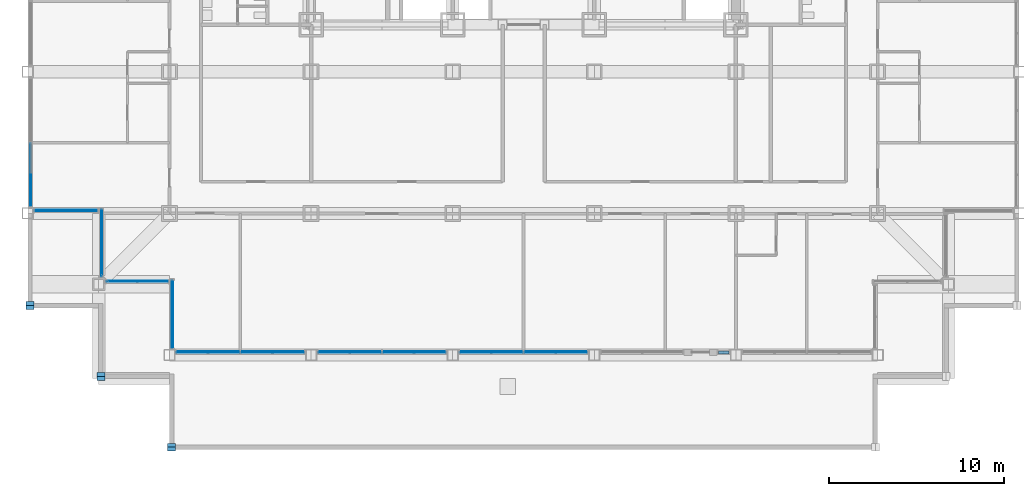
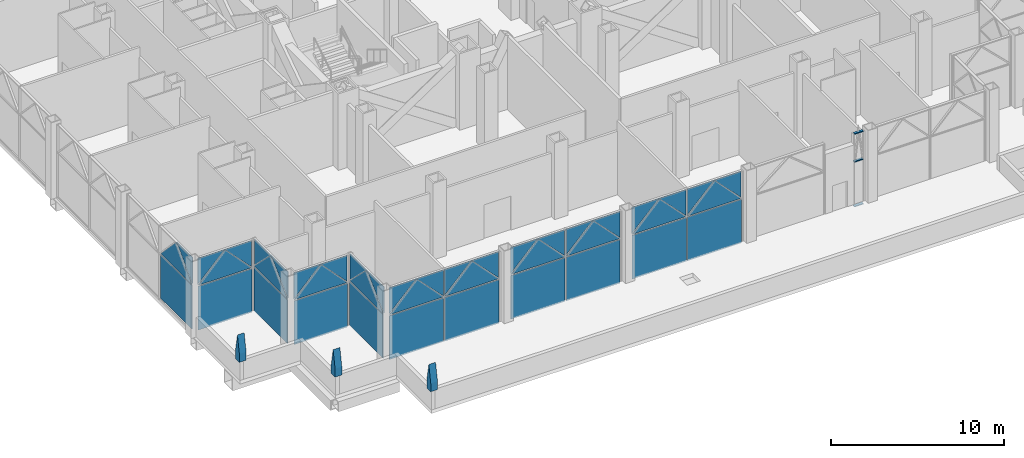
# One storey, part 10 of 26: 46 plates, 3 members, 9 elements without a shape of their own.
"""IFC4 building model written with IfcOpenShell, lengths in metres."""

from ifc_helpers import new_model, si_unit, direction, frame, origin, origin_2d, place, context, subcontext, project, spatial, polyline, rectangle, outline, extrude, material, layer, layer_set, material_profile, profile_set, type_object, element, aggregate, save


model = new_model("IFC4")

# Units and contexts
model_context = context("Model", 3, precision=1e-05, world=origin(), true_north=direction((0.0, 1.0)))
body_context = subcontext(model_context, "Body", "Model", "MODEL_VIEW")
ifc_project = project(units=[si_unit("LENGTHUNIT", "METRE"), si_unit("AREAUNIT", "SQUARE_METRE"), si_unit("VOLUMEUNIT", "CUBIC_METRE"), si_unit("PLANEANGLEUNIT", "RADIAN"), si_unit("MASSUNIT", "GRAM", prefix="KILO")], contexts=[model_context])

# Site, building, storey
site_placement = place(None, origin())
site = spatial("IfcSite", under=ifc_project, at=site_placement, CompositionType="ELEMENT")
building_placement = place(site_placement, origin())
building = spatial("IfcBuilding", under=site, at=building_placement, Name="Kopane Lantern Tower", CompositionType="ELEMENT")
storey_placement = place(building_placement, frame((0.0, 0.0, 98.0)))
storey = spatial("IfcBuildingStorey", under=building, at=storey_placement, Name="L24", CompositionType="ELEMENT", Elevation=98.0)

# Curtain wall, members
ifc_material_1 = material(Name="Aluminium and clear glass", Category="aluminium")
curtain_wall_type = type_object("IfcCurtainWallType", Name="CURTAIN WALL CW3 SKY LOBBY", PredefinedType="USERDEFINED", material=ifc_material_1)
curtain_wall_1_placement = place(storey_placement, origin())
curtain_wall_1 = element("IfcCurtainWall", 1, at=curtain_wall_1_placement, inside=storey, type_object=curtain_wall_type, Name="Curtain wall CW3 S L24", ObjectType="CURTAIN WALL", PredefinedType="USERDEFINED")
ifc_material_2 = material(Name="Aluminium", Category="aluminium")
ifc_material_profile = material_profile(ifc_material_2, rectangle(XDim=0.159912109375, YDim=0.070068359375, at=origin_2d()), Name="AL 160x70")
ifc_profile_set = profile_set([ifc_material_profile], Name="Aluminium")
member_type = type_object("IfcMemberType", Name="TRANSOM CW3-T 70x160", PredefinedType="USERDEFINED", material=ifc_profile_set)
member_1_placement = place(storey_placement, frame((39.4951171875, 5.550048828125, 0.034912109375), z_axis=(1.0, 0.0, 0.0), x_axis=(0.0, 1.0, 0.0)))
member_1 = element("IfcMember", 2, at=member_1_placement, type_object=member_type, Name="CW3 transom 1.1", ObjectType="TRANSOM", PredefinedType="USERDEFINED", context=body_context, shape_type="SweptSolid", body=[
    extrude(rectangle(XDim=0.159912109375, YDim=0.070068359375, at=origin_2d()), origin(), (0.0, 0.0, 1.0), 0.60498046875),
])
member_2_placement = place(storey_placement, frame((39.4951171875, 5.550048828125, 3.18994140625), z_axis=(1.0, 0.0, 0.0), x_axis=(0.0, 1.0, 0.0)))
member_2 = element("IfcMember", 3, at=member_2_placement, type_object=member_type, Name="CW3 transom 1.2", ObjectType="TRANSOM", PredefinedType="USERDEFINED", context=body_context, shape_type="SweptSolid", body=[
    extrude(rectangle(XDim=0.159912109375, YDim=0.070068359375, at=origin_2d()), origin(), (0.0, 0.0, 1.0), 0.60498046875),
])
member_3_placement = place(storey_placement, frame((39.4951171875, 5.550048828125, 5.155029296875), z_axis=(1.0, 0.0, 0.0), x_axis=(0.0, 1.0, 0.0)))
member_3 = element("IfcMember", 4, at=member_3_placement, type_object=member_type, Name="CW3 transom 1.3", ObjectType="TRANSOM", PredefinedType="USERDEFINED", context=body_context, shape_type="SweptSolid", body=[
    extrude(rectangle(XDim=0.159912109375, YDim=0.070068359375, at=origin_2d()), origin(), (0.0, 0.0, 1.0), 0.60498046875),
])
aggregate(curtain_wall_1, [member_1, member_2, member_3])

# Curtain wall, plates
curtain_wall_2_placement = place(storey_placement, origin())
curtain_wall_2 = element("IfcCurtainWall", 5, at=curtain_wall_2_placement, inside=storey, type_object=curtain_wall_type, Name="Curtain wall CW3 S L24", ObjectType="CURTAIN WALL", PredefinedType="USERDEFINED")
ifc_material_3 = material(Name="Insulated clear glass unit", Category="glass")
ifc_layer_1 = layer(ifc_material_3, 0.033935546875)
ifc_layer_set_1 = layer_set([ifc_layer_1], Name="CURTAIN PANEL CW3-P 34")
plate_type_1 = type_object("IfcPlateType", Name="CURTAIN PANEL CW3-P 34", PredefinedType="CURTAIN_PANEL", material=ifc_layer_set_1)
plate_1_placement = place(storey_placement, frame((10.3076171875, 5.550048828125, 0.070068359375), z_axis=(0.0, 0.0, 1.0), x_axis=(1.0, 0.0, 0.0)))
plate_1 = element("IfcPlate", 6, at=plate_1_placement, type_object=plate_type_1, Name="CW3 panel 1.1", PredefinedType="CURTAIN_PANEL", context=body_context, shape_type="SweptSolid", body=[
    extrude(rectangle(XDim=3.614990234375, YDim=0.033935546875, at=origin_2d()), origin(), (0.0, 0.0, 1.0), 3.0849609375),
])
plate_2_placement = place(storey_placement, frame((13.992431640625, 5.550048828125, 0.070068359375), z_axis=(0.0, 0.0, 1.0), x_axis=(1.0, 0.0, 0.0)))
plate_2 = element("IfcPlate", 7, at=plate_2_placement, type_object=plate_type_1, Name="CW3 panel 2.1", PredefinedType="CURTAIN_PANEL", context=body_context, shape_type="SweptSolid", body=[
    extrude(rectangle(XDim=3.614990234375, YDim=0.033935546875, at=origin_2d()), origin(), (0.0, 0.0, 1.0), 3.0849609375),
])
plate_3_placement = place(storey_placement, frame((8.5, 5.550048828125, 3.22509765625), z_axis=(0.0, 0.0, 1.0), x_axis=(1.0, 0.0, 0.0)))
plate_3 = element("IfcPlate", 8, at=plate_3_placement, type_object=plate_type_1, Name="CW3 lancet panel 1", PredefinedType="CURTAIN_PANEL", context=body_context, shape_type="SweptSolid", body=[
    extrude(outline(polyline([(0.0, 0.0), (3.614990234375, 0.0), (3.614990234375, 0.0009765625), (1.8076171875, 1.89990234375), (0.0, 0.0009765625), (0.0, 0.0)])), frame((0.0, 0.01708984375, 0.0), z_axis=(0.0, -1.0, 0.0), x_axis=(1.0, 0.0, 0.0)), (0.0, 0.0, 1.0), 0.033935546875),
])
plate_4_placement = place(storey_placement, frame((8.5, 5.5859375, 5.1201171875), z_axis=(0.0, 0.0, 1.0), x_axis=(1.0, 0.0, 0.0)))
plate_4 = element("IfcPlate", 9, at=plate_4_placement, type_object=plate_type_1, Name="CW3 spandrel panel 1L", PredefinedType="CURTAIN_PANEL", context=body_context, shape_type="SweptSolid", body=[
    extrude(outline(polyline([(0.0, 0.0), (1.8076171875, 0.0), (1.8076171875, -0.001220703125), (0.0, -1.846923828125), (0.0, 0.0)])), frame((0.0, 0.01708984375, 0.0), z_axis=(0.0, -1.0, 0.0), x_axis=(1.0, 0.0, 0.0)), (0.0, 0.0, 1.0), 0.033935546875),
])
plate_5_placement = place(storey_placement, frame((12.114990234375, 5.5859375, 5.1201171875), z_axis=(0.0, 0.0, 1.0), x_axis=(-1.0, 0.0, 0.0)))
plate_5 = element("IfcPlate", 10, at=plate_5_placement, type_object=plate_type_1, Name="CW3 spandrel panel 1R", PredefinedType="CURTAIN_PANEL", context=body_context, shape_type="SweptSolid", body=[
    extrude(outline(polyline([(0.0, 0.0), (1.807373046875, 0.0), (1.8076171875, -0.001220703125), (0.0, -1.846923828125), (0.0, 0.0)])), frame((0.0, 0.01708984375, 0.0), z_axis=(0.0, -1.0, 0.0), x_axis=(1.0, 0.0, 0.0)), (0.0, 0.0, 1.0), 0.033935546875),
])
plate_6_placement = place(storey_placement, frame((12.18505859375, 5.550048828125, 3.22509765625), z_axis=(0.0, 0.0, 1.0), x_axis=(1.0, 0.0, 0.0)))
plate_6 = element("IfcPlate", 11, at=plate_6_placement, type_object=plate_type_1, Name="CW3 lancet panel 2", PredefinedType="CURTAIN_PANEL", context=body_context, shape_type="SweptSolid", body=[
    extrude(outline(polyline([(0.0, 0.0), (3.614990234375, 0.0), (3.614990234375, 0.0009765625), (1.8076171875, 1.89990234375), (0.0, 0.0009765625), (0.0, 0.0)])), frame((0.0, 0.01708984375, 0.0), z_axis=(0.0, -1.0, 0.0), x_axis=(1.0, 0.0, 0.0)), (0.0, 0.0, 1.0), 0.033935546875),
])
plate_7_placement = place(storey_placement, frame((12.18505859375, 5.5859375, 5.1201171875), z_axis=(0.0, 0.0, 1.0), x_axis=(1.0, 0.0, 0.0)))
plate_7 = element("IfcPlate", 12, at=plate_7_placement, type_object=plate_type_1, Name="CW3 spandrel panel 2L", PredefinedType="CURTAIN_PANEL", context=body_context, shape_type="SweptSolid", body=[
    extrude(outline(polyline([(0.0, 0.0), (1.807373046875, 0.0), (1.8076171875, -0.001220703125), (0.0, -1.846923828125), (0.0, 0.0)])), frame((0.0, 0.01708984375, 0.0), z_axis=(0.0, -1.0, 0.0), x_axis=(1.0, 0.0, 0.0)), (0.0, 0.0, 1.0), 0.033935546875),
])
plate_8_placement = place(storey_placement, frame((15.800048828125, 5.5859375, 5.1201171875), z_axis=(0.0, 0.0, 1.0), x_axis=(-1.0, 0.0, 0.0)))
plate_8 = element("IfcPlate", 13, at=plate_8_placement, type_object=plate_type_1, Name="CW3 spandrel panel 2R", PredefinedType="CURTAIN_PANEL", context=body_context, shape_type="SweptSolid", body=[
    extrude(outline(polyline([(0.0, 0.0), (1.8076171875, 0.0), (1.8076171875, -0.001220703125), (0.0, -1.846923828125), (0.0, 0.0)])), frame((0.0, 0.01708984375, 0.0), z_axis=(0.0, -1.0, 0.0), x_axis=(1.0, 0.0, 0.0)), (0.0, 0.0, 1.0), 0.033935546875),
])
aggregate(curtain_wall_2, [plate_1, plate_2, plate_3, plate_4, plate_5, plate_6, plate_7, plate_8])

curtain_wall_3_placement = place(storey_placement, origin())
curtain_wall_3 = element("IfcCurtainWall", 14, at=curtain_wall_3_placement, inside=storey, type_object=curtain_wall_type, Name="Curtain wall CW3 S L24", ObjectType="CURTAIN WALL", PredefinedType="USERDEFINED")
plate_9_placement = place(storey_placement, frame((18.407470703125, 5.550048828125, 0.070068359375), z_axis=(0.0, 0.0, 1.0), x_axis=(1.0, 0.0, 0.0)))
plate_9 = element("IfcPlate", 15, at=plate_9_placement, type_object=plate_type_1, Name="CW3 panel 1.1", PredefinedType="CURTAIN_PANEL", context=body_context, shape_type="SweptSolid", body=[
    extrude(rectangle(XDim=3.614990234375, YDim=0.033935546875, at=origin_2d()), origin(), (0.0, 0.0, 1.0), 3.0849609375),
])
plate_10_placement = place(storey_placement, frame((22.092529296875, 5.550048828125, 0.070068359375), z_axis=(0.0, 0.0, 1.0), x_axis=(1.0, 0.0, 0.0)))
plate_10 = element("IfcPlate", 16, at=plate_10_placement, type_object=plate_type_1, Name="CW3 panel 2.1", PredefinedType="CURTAIN_PANEL", context=body_context, shape_type="SweptSolid", body=[
    extrude(rectangle(XDim=3.614990234375, YDim=0.033935546875, at=origin_2d()), origin(), (0.0, 0.0, 1.0), 3.0849609375),
])
plate_11_placement = place(storey_placement, frame((16.60009765625, 5.550048828125, 3.22509765625), z_axis=(0.0, 0.0, 1.0), x_axis=(1.0, 0.0, 0.0)))
plate_11 = element("IfcPlate", 17, at=plate_11_placement, type_object=plate_type_1, Name="CW3 lancet panel 1", PredefinedType="CURTAIN_PANEL", context=body_context, shape_type="SweptSolid", body=[
    extrude(outline(polyline([(0.0, 0.0), (3.614990234375, 0.0), (3.614990234375, 0.0009765625), (1.8076171875, 1.89990234375), (0.0, 0.0009765625), (0.0, 0.0)])), frame((0.0, 0.01708984375, 0.0), z_axis=(0.0, -1.0, 0.0), x_axis=(1.0, 0.0, 0.0)), (0.0, 0.0, 1.0), 0.033935546875),
])
plate_12_placement = place(storey_placement, frame((16.60009765625, 5.5859375, 5.1201171875), z_axis=(0.0, 0.0, 1.0), x_axis=(1.0, 0.0, 0.0)))
plate_12 = element("IfcPlate", 18, at=plate_12_placement, type_object=plate_type_1, Name="CW3 spandrel panel 1L", PredefinedType="CURTAIN_PANEL", context=body_context, shape_type="SweptSolid", body=[
    extrude(outline(polyline([(0.0, 0.0), (1.807373046875, 0.0), (1.8076171875, -0.001220703125), (0.0, -1.846923828125), (0.0, 0.0)])), frame((0.0, 0.01708984375, 0.0), z_axis=(0.0, -1.0, 0.0), x_axis=(1.0, 0.0, 0.0)), (0.0, 0.0, 1.0), 0.033935546875),
])
plate_13_placement = place(storey_placement, frame((20.215087890625, 5.5859375, 5.1201171875), z_axis=(0.0, 0.0, 1.0), x_axis=(-1.0, 0.0, 0.0)))
plate_13 = element("IfcPlate", 19, at=plate_13_placement, type_object=plate_type_1, Name="CW3 spandrel panel 1R", PredefinedType="CURTAIN_PANEL", context=body_context, shape_type="SweptSolid", body=[
    extrude(outline(polyline([(0.0, 0.0), (1.8076171875, 0.0), (1.8076171875, -0.001220703125), (0.0, -1.846923828125), (0.0, 0.0)])), frame((0.0, 0.01708984375, 0.0), z_axis=(0.0, -1.0, 0.0), x_axis=(1.0, 0.0, 0.0)), (0.0, 0.0, 1.0), 0.033935546875),
])
plate_14_placement = place(storey_placement, frame((20.284912109375, 5.550048828125, 3.22509765625), z_axis=(0.0, 0.0, 1.0), x_axis=(1.0, 0.0, 0.0)))
plate_14 = element("IfcPlate", 20, at=plate_14_placement, type_object=plate_type_1, Name="CW3 lancet panel 2", PredefinedType="CURTAIN_PANEL", context=body_context, shape_type="SweptSolid", body=[
    extrude(outline(polyline([(0.0, 0.0), (3.614990234375, 0.0), (3.614990234375, 0.0009765625), (1.8076171875, 1.89990234375), (0.0, 0.0009765625), (0.0, 0.0)])), frame((0.0, 0.01708984375, 0.0), z_axis=(0.0, -1.0, 0.0), x_axis=(1.0, 0.0, 0.0)), (0.0, 0.0, 1.0), 0.033935546875),
])
plate_15_placement = place(storey_placement, frame((20.284912109375, 5.5859375, 5.1201171875), z_axis=(0.0, 0.0, 1.0), x_axis=(1.0, 0.0, 0.0)))
plate_15 = element("IfcPlate", 21, at=plate_15_placement, type_object=plate_type_1, Name="CW3 spandrel panel 2L", PredefinedType="CURTAIN_PANEL", context=body_context, shape_type="SweptSolid", body=[
    extrude(outline(polyline([(0.0, 0.0), (1.8076171875, 0.0), (1.8076171875, -0.001220703125), (0.0, -1.846923828125), (0.0, 0.0)])), frame((0.0, 0.01708984375, 0.0), z_axis=(0.0, -1.0, 0.0), x_axis=(1.0, 0.0, 0.0)), (0.0, 0.0, 1.0), 0.033935546875),
])
plate_16_placement = place(storey_placement, frame((23.89990234375, 5.5859375, 5.1201171875), z_axis=(0.0, 0.0, 1.0), x_axis=(-1.0, 0.0, 0.0)))
plate_16 = element("IfcPlate", 22, at=plate_16_placement, type_object=plate_type_1, Name="CW3 spandrel panel 2R", PredefinedType="CURTAIN_PANEL", context=body_context, shape_type="SweptSolid", body=[
    extrude(outline(polyline([(0.0, 0.0), (1.807373046875, 0.0), (1.8076171875, -0.001220703125), (0.0, -1.846923828125), (0.0, 0.0)])), frame((0.0, 0.01708984375, 0.0), z_axis=(0.0, -1.0, 0.0), x_axis=(1.0, 0.0, 0.0)), (0.0, 0.0, 1.0), 0.033935546875),
])
aggregate(curtain_wall_3, [plate_9, plate_10, plate_11, plate_12, plate_13, plate_14, plate_15, plate_16])

curtain_wall_4_placement = place(storey_placement, origin())
curtain_wall_4 = element("IfcCurtainWall", 23, at=curtain_wall_4_placement, inside=storey, type_object=curtain_wall_type, Name="Curtain wall CW3 S L24", ObjectType="CURTAIN WALL", PredefinedType="USERDEFINED")
plate_17_placement = place(storey_placement, frame((26.507568359375, 5.550048828125, 0.070068359375), z_axis=(0.0, 0.0, 1.0), x_axis=(1.0, 0.0, 0.0)))
plate_17 = element("IfcPlate", 24, at=plate_17_placement, type_object=plate_type_1, Name="CW3 panel 1.1", PredefinedType="CURTAIN_PANEL", context=body_context, shape_type="SweptSolid", body=[
    extrude(rectangle(XDim=3.614990234375, YDim=0.033935546875, at=origin_2d()), origin(), (0.0, 0.0, 1.0), 3.0849609375),
])
plate_18_placement = place(storey_placement, frame((30.1923828125, 5.550048828125, 0.070068359375), z_axis=(0.0, 0.0, 1.0), x_axis=(1.0, 0.0, 0.0)))
plate_18 = element("IfcPlate", 25, at=plate_18_placement, type_object=plate_type_1, Name="CW3 panel 2.1", PredefinedType="CURTAIN_PANEL", context=body_context, shape_type="SweptSolid", body=[
    extrude(rectangle(XDim=3.614990234375, YDim=0.033935546875, at=origin_2d()), origin(), (0.0, 0.0, 1.0), 3.0849609375),
])
plate_19_placement = place(storey_placement, frame((24.699951171875, 5.550048828125, 3.22509765625), z_axis=(0.0, 0.0, 1.0), x_axis=(1.0, 0.0, 0.0)))
plate_19 = element("IfcPlate", 26, at=plate_19_placement, type_object=plate_type_1, Name="CW3 lancet panel 1", PredefinedType="CURTAIN_PANEL", context=body_context, shape_type="SweptSolid", body=[
    extrude(outline(polyline([(0.0, 0.0), (3.614990234375, 0.0), (3.614990234375, 0.0009765625), (1.8076171875, 1.89990234375), (0.0, 0.0009765625), (0.0, 0.0)])), frame((0.0, 0.01708984375, 0.0), z_axis=(0.0, -1.0, 0.0), x_axis=(1.0, 0.0, 0.0)), (0.0, 0.0, 1.0), 0.033935546875),
])
plate_20_placement = place(storey_placement, frame((24.699951171875, 5.5859375, 5.1201171875), z_axis=(0.0, 0.0, 1.0), x_axis=(1.0, 0.0, 0.0)))
plate_20 = element("IfcPlate", 27, at=plate_20_placement, type_object=plate_type_1, Name="CW3 spandrel panel 1L", PredefinedType="CURTAIN_PANEL", context=body_context, shape_type="SweptSolid", body=[
    extrude(outline(polyline([(0.0, 0.0), (1.8076171875, 0.0), (1.8076171875, -0.001220703125), (0.0, -1.846923828125), (0.0, 0.0)])), frame((0.0, 0.01708984375, 0.0), z_axis=(0.0, -1.0, 0.0), x_axis=(1.0, 0.0, 0.0)), (0.0, 0.0, 1.0), 0.033935546875),
])
plate_21_placement = place(storey_placement, frame((28.31494140625, 5.5859375, 5.1201171875), z_axis=(0.0, 0.0, 1.0), x_axis=(-1.0, 0.0, 0.0)))
plate_21 = element("IfcPlate", 28, at=plate_21_placement, type_object=plate_type_1, Name="CW3 spandrel panel 1R", PredefinedType="CURTAIN_PANEL", context=body_context, shape_type="SweptSolid", body=[
    extrude(outline(polyline([(0.0, 0.0), (1.807373046875, 0.0), (1.8076171875, -0.001220703125), (0.0, -1.846923828125), (0.0, 0.0)])), frame((0.0, 0.01708984375, 0.0), z_axis=(0.0, -1.0, 0.0), x_axis=(1.0, 0.0, 0.0)), (0.0, 0.0, 1.0), 0.033935546875),
])
plate_22_placement = place(storey_placement, frame((28.385009765625, 5.550048828125, 3.22509765625), z_axis=(0.0, 0.0, 1.0), x_axis=(1.0, 0.0, 0.0)))
plate_22 = element("IfcPlate", 29, at=plate_22_placement, type_object=plate_type_1, Name="CW3 lancet panel 2", PredefinedType="CURTAIN_PANEL", context=body_context, shape_type="SweptSolid", body=[
    extrude(outline(polyline([(0.0, 0.0), (3.614990234375, 0.0), (3.614990234375, 0.0009765625), (1.8076171875, 1.89990234375), (0.0, 0.0009765625), (0.0, 0.0)])), frame((0.0, 0.01708984375, 0.0), z_axis=(0.0, -1.0, 0.0), x_axis=(1.0, 0.0, 0.0)), (0.0, 0.0, 1.0), 0.033935546875),
])
plate_23_placement = place(storey_placement, frame((28.385009765625, 5.5859375, 5.1201171875), z_axis=(0.0, 0.0, 1.0), x_axis=(1.0, 0.0, 0.0)))
plate_23 = element("IfcPlate", 30, at=plate_23_placement, type_object=plate_type_1, Name="CW3 spandrel panel 2L", PredefinedType="CURTAIN_PANEL", context=body_context, shape_type="SweptSolid", body=[
    extrude(outline(polyline([(0.0, 0.0), (1.807373046875, 0.0), (1.8076171875, -0.001220703125), (0.0, -1.846923828125), (0.0, 0.0)])), frame((0.0, 0.01708984375, 0.0), z_axis=(0.0, -1.0, 0.0), x_axis=(1.0, 0.0, 0.0)), (0.0, 0.0, 1.0), 0.033935546875),
])
plate_24_placement = place(storey_placement, frame((32.0, 5.5859375, 5.1201171875), z_axis=(0.0, 0.0, 1.0), x_axis=(-1.0, 0.0, 0.0)))
plate_24 = element("IfcPlate", 31, at=plate_24_placement, type_object=plate_type_1, Name="CW3 spandrel panel 2R", PredefinedType="CURTAIN_PANEL", context=body_context, shape_type="SweptSolid", body=[
    extrude(outline(polyline([(0.0, 0.0), (1.8076171875, 0.0), (1.8076171875, -0.001220703125), (0.0, -1.846923828125), (0.0, 0.0)])), frame((0.0, 0.01708984375, 0.0), z_axis=(0.0, -1.0, 0.0), x_axis=(1.0, 0.0, 0.0)), (0.0, 0.0, 1.0), 0.033935546875),
])
aggregate(curtain_wall_4, [plate_17, plate_18, plate_19, plate_20, plate_21, plate_22, plate_23, plate_24])

curtain_wall_5_placement = place(storey_placement, origin())
curtain_wall_5 = element("IfcCurtainWall", 32, at=curtain_wall_5_placement, inside=storey, type_object=curtain_wall_type, Name="Curtain wall CW3 W L24", ObjectType="CURTAIN WALL", PredefinedType="USERDEFINED")
plate_25_placement = place(storey_placement, frame((0.14990234375, 15.70751953125, 0.070068359375), z_axis=(0.0, 0.0, 1.0), x_axis=(0.0, -1.0, 0.0)))
plate_25 = element("IfcPlate", 33, at=plate_25_placement, type_object=plate_type_1, Name="CW3 panel 2.1", PredefinedType="CURTAIN_PANEL", context=body_context, shape_type="SweptSolid", body=[
    extrude(rectangle(XDim=3.614990234375, YDim=0.033935546875, at=origin_2d()), origin(), (0.0, 0.0, 1.0), 3.0849609375),
])
plate_26_placement = place(storey_placement, frame((0.14990234375, 17.514892578125, 3.22509765625), z_axis=(0.0, 0.0, 1.0), x_axis=(0.0, -1.0, 0.0)))
plate_26 = element("IfcPlate", 34, at=plate_26_placement, type_object=plate_type_1, Name="CW3 lancet panel 2", PredefinedType="CURTAIN_PANEL", context=body_context, shape_type="SweptSolid", body=[
    extrude(outline(polyline([(0.0, 0.0), (3.614990234375, 0.0), (3.614990234375, 0.0009765625), (1.8076171875, 1.89990234375), (0.0, 0.0009765625), (0.0, 0.0)])), frame((0.0, 0.01708984375, 0.0), z_axis=(0.0, -1.0, 0.0), x_axis=(1.0, 0.0, 0.0)), (0.0, 0.0, 1.0), 0.033935546875),
])
plate_27_placement = place(storey_placement, frame((0.18603515625, 13.89990234375, 5.1201171875), z_axis=(0.0, 0.0, 1.0), x_axis=(0.0, 1.0, 0.0)))
plate_27 = element("IfcPlate", 35, at=plate_27_placement, type_object=plate_type_1, Name="CW3 spandrel panel 2R", PredefinedType="CURTAIN_PANEL", context=body_context, shape_type="SweptSolid", body=[
    extrude(outline(polyline([(0.0, 0.0), (1.8076171875, 0.0), (1.8076171875, -0.001220703125), (0.0, -1.846923828125), (0.0, 0.0)])), frame((0.0, 0.01708984375, 0.0), z_axis=(0.0, -1.0, 0.0), x_axis=(1.0, 0.0, 0.0)), (0.0, 0.0, 1.0), 0.033935546875),
])
aggregate(curtain_wall_5, [plate_25, plate_26, plate_27])

curtain_wall_6_placement = place(storey_placement, origin())
curtain_wall_6 = element("IfcCurtainWall", 36, at=curtain_wall_6_placement, inside=storey, type_object=curtain_wall_type, Name="Curtain wall CW3 S L24", ObjectType="CURTAIN WALL", PredefinedType="USERDEFINED")
plate_28_placement = place(storey_placement, frame((2.18994140625, 13.64990234375, 0.070068359375), z_axis=(0.0, 0.0, 1.0), x_axis=(1.0, 0.0, 0.0)))
plate_28 = element("IfcPlate", 37, at=plate_28_placement, type_object=plate_type_1, Name="CW3 panel 1.1", PredefinedType="CURTAIN_PANEL", context=body_context, shape_type="SweptSolid", body=[
    extrude(rectangle(XDim=3.580078125, YDim=0.033935546875, at=origin_2d()), origin(), (0.0, 0.0, 1.0), 3.0849609375),
])
plate_29_placement = place(storey_placement, frame((0.39990234375, 13.64990234375, 3.22509765625), z_axis=(0.0, 0.0, 1.0), x_axis=(1.0, 0.0, 0.0)))
plate_29 = element("IfcPlate", 38, at=plate_29_placement, type_object=plate_type_1, Name="CW3 lancet panel 1", PredefinedType="CURTAIN_PANEL", context=body_context, shape_type="SweptSolid", body=[
    extrude(outline(polyline([(0.0, 0.0), (3.580078125, 0.0), (3.580078125, 0.0009765625), (1.7900390625, 1.901123046875), (0.0, 0.0009765625), (0.0, 0.0)])), frame((0.0, 0.01708984375, 0.0), z_axis=(0.0, -1.0, 0.0), x_axis=(1.0, 0.0, 0.0)), (0.0, 0.0, 1.0), 0.033935546875),
])
plate_30_placement = place(storey_placement, frame((0.39990234375, 13.68603515625, 5.1201171875), z_axis=(0.0, 0.0, 1.0), x_axis=(1.0, 0.0, 0.0)))
plate_30 = element("IfcPlate", 39, at=plate_30_placement, type_object=plate_type_1, Name="CW3 spandrel panel 1L", PredefinedType="CURTAIN_PANEL", context=body_context, shape_type="SweptSolid", body=[
    extrude(outline(polyline([(0.0, 0.0), (1.7900390625, 0.0), (1.7900390625, -0.001220703125), (0.0, -1.84716796875), (0.0, 0.0)])), frame((0.0, 0.01708984375, 0.0), z_axis=(0.0, -1.0, 0.0), x_axis=(1.0, 0.0, 0.0)), (0.0, 0.0, 1.0), 0.033935546875),
])
plate_31_placement = place(storey_placement, frame((3.97998046875, 13.68603515625, 5.1201171875), z_axis=(0.0, 0.0, 1.0), x_axis=(-1.0, 0.0, 0.0)))
plate_31 = element("IfcPlate", 40, at=plate_31_placement, type_object=plate_type_1, Name="CW3 spandrel panel 1R", PredefinedType="CURTAIN_PANEL", context=body_context, shape_type="SweptSolid", body=[
    extrude(outline(polyline([(0.0, 0.0), (1.7900390625, 0.0), (1.7900390625, -0.001220703125), (0.0, -1.84716796875), (0.0, 0.0)])), frame((0.0, 0.01708984375, 0.0), z_axis=(0.0, -1.0, 0.0), x_axis=(1.0, 0.0, 0.0)), (0.0, 0.0, 1.0), 0.033935546875),
])
aggregate(curtain_wall_6, [plate_28, plate_29, plate_30, plate_31])

curtain_wall_7_placement = place(storey_placement, origin())
curtain_wall_7 = element("IfcCurtainWall", 41, at=curtain_wall_7_placement, inside=storey, type_object=curtain_wall_type, Name="Curtain wall CW3 W L24", ObjectType="CURTAIN WALL", PredefinedType="USERDEFINED")
plate_32_placement = place(storey_placement, frame((4.199951171875, 11.802490234375, 0.070068359375), z_axis=(0.0, 0.0, 1.0), x_axis=(0.0, -1.0, 0.0)))
plate_32 = element("IfcPlate", 42, at=plate_32_placement, type_object=plate_type_1, Name="CW3 panel 1.1", PredefinedType="CURTAIN_PANEL", context=body_context, shape_type="SweptSolid", body=[
    extrude(rectangle(XDim=3.85498046875, YDim=0.033935546875, at=origin_2d()), origin(), (0.0, 0.0, 1.0), 3.0849609375),
])
plate_33_placement = place(storey_placement, frame((4.199951171875, 13.72998046875, 3.22509765625), z_axis=(0.0, 0.0, 1.0), x_axis=(0.0, -1.0, 0.0)))
plate_33 = element("IfcPlate", 43, at=plate_33_placement, type_object=plate_type_1, Name="CW3 lancet panel 1", PredefinedType="CURTAIN_PANEL", context=body_context, shape_type="SweptSolid", body=[
    extrude(outline(polyline([(0.0, 0.0), (3.85498046875, 0.0), (3.85498046875, 0.0009765625), (1.927490234375, 1.89306640625), (0.0, 0.0009765625), (0.0, 0.0)])), frame((0.0, 0.01708984375, 0.0), z_axis=(0.0, -1.0, 0.0), x_axis=(1.0, 0.0, 0.0)), (0.0, 0.0, 1.0), 0.033935546875),
])
plate_34_placement = place(storey_placement, frame((4.236083984375, 13.72998046875, 5.1201171875), z_axis=(0.0, 0.0, 1.0), x_axis=(0.0, -1.0, 0.0)))
plate_34 = element("IfcPlate", 44, at=plate_34_placement, type_object=plate_type_1, Name="CW3 spandrel panel 1L", PredefinedType="CURTAIN_PANEL", context=body_context, shape_type="SweptSolid", body=[
    extrude(outline(polyline([(0.0, 0.0), (1.927490234375, 0.0), (1.927490234375, -0.001220703125), (0.0, -1.84521484375), (0.0, 0.0)])), frame((0.0, 0.01708984375, 0.0), z_axis=(0.0, -1.0, 0.0), x_axis=(1.0, 0.0, 0.0)), (0.0, 0.0, 1.0), 0.033935546875),
])
plate_35_placement = place(storey_placement, frame((4.236083984375, 9.875, 5.1201171875), z_axis=(0.0, 0.0, 1.0), x_axis=(0.0, 1.0, 0.0)))
plate_35 = element("IfcPlate", 45, at=plate_35_placement, type_object=plate_type_1, Name="CW3 spandrel panel 1R", PredefinedType="CURTAIN_PANEL", context=body_context, shape_type="SweptSolid", body=[
    extrude(outline(polyline([(0.0, 0.0), (1.927490234375, 0.0), (1.927490234375, -0.001220703125), (0.0, -1.84521484375), (0.0, 0.0)])), frame((0.0, 0.01708984375, 0.0), z_axis=(0.0, -1.0, 0.0), x_axis=(1.0, 0.0, 0.0)), (0.0, 0.0, 1.0), 0.033935546875),
])
aggregate(curtain_wall_7, [plate_32, plate_33, plate_34, plate_35])

curtain_wall_8_placement = place(storey_placement, origin())
curtain_wall_8 = element("IfcCurtainWall", 46, at=curtain_wall_8_placement, inside=storey, type_object=curtain_wall_type, Name="Curtain wall CW3 S L24", ObjectType="CURTAIN WALL", PredefinedType="USERDEFINED")
plate_36_placement = place(storey_placement, frame((6.25244140625, 9.60009765625, 0.070068359375), z_axis=(0.0, 0.0, 1.0), x_axis=(1.0, 0.0, 0.0)))
plate_36 = element("IfcPlate", 47, at=plate_36_placement, type_object=plate_type_1, Name="CW3 panel 1.1", PredefinedType="CURTAIN_PANEL", context=body_context, shape_type="SweptSolid", body=[
    extrude(rectangle(XDim=3.554931640625, YDim=0.033935546875, at=origin_2d()), origin(), (0.0, 0.0, 1.0), 3.0849609375),
])
plate_37_placement = place(storey_placement, frame((4.47509765625, 9.60009765625, 3.22509765625), z_axis=(0.0, 0.0, 1.0), x_axis=(1.0, 0.0, 0.0)))
plate_37 = element("IfcPlate", 48, at=plate_37_placement, type_object=plate_type_1, Name="CW3 lancet panel 1", PredefinedType="CURTAIN_PANEL", context=body_context, shape_type="SweptSolid", body=[
    extrude(outline(polyline([(0.0, 0.0), (3.554931640625, 0.0), (3.554931640625, 0.0009765625), (1.777587890625, 1.90185546875), (0.0, 0.0009765625), (0.0, 0.0)])), frame((0.0, 0.01708984375, 0.0), z_axis=(0.0, -1.0, 0.0), x_axis=(1.0, 0.0, 0.0)), (0.0, 0.0, 1.0), 0.033935546875),
])
plate_38_placement = place(storey_placement, frame((4.47509765625, 9.635986328125, 5.1201171875), z_axis=(0.0, 0.0, 1.0), x_axis=(1.0, 0.0, 0.0)))
plate_38 = element("IfcPlate", 49, at=plate_38_placement, type_object=plate_type_1, Name="CW3 spandrel panel 1L", PredefinedType="CURTAIN_PANEL", context=body_context, shape_type="SweptSolid", body=[
    extrude(outline(polyline([(0.0, 0.0), (1.77734375, 0.0), (1.777587890625, -0.001220703125), (0.0, -1.847412109375), (0.0, 0.0)])), frame((0.0, 0.01708984375, 0.0), z_axis=(0.0, -1.0, 0.0), x_axis=(1.0, 0.0, 0.0)), (0.0, 0.0, 1.0), 0.033935546875),
])
plate_39_placement = place(storey_placement, frame((8.030029296875, 9.635986328125, 5.1201171875), z_axis=(0.0, 0.0, 1.0), x_axis=(-1.0, 0.0, 0.0)))
plate_39 = element("IfcPlate", 50, at=plate_39_placement, type_object=plate_type_1, Name="CW3 spandrel panel 1R", PredefinedType="CURTAIN_PANEL", context=body_context, shape_type="SweptSolid", body=[
    extrude(outline(polyline([(0.0, 0.0), (1.777587890625, 0.0), (1.777587890625, -0.001220703125), (0.0, -1.847412109375), (0.0, 0.0)])), frame((0.0, 0.01708984375, 0.0), z_axis=(0.0, -1.0, 0.0), x_axis=(1.0, 0.0, 0.0)), (0.0, 0.0, 1.0), 0.033935546875),
])
aggregate(curtain_wall_8, [plate_36, plate_37, plate_38, plate_39])

curtain_wall_9_placement = place(storey_placement, origin())
curtain_wall_9 = element("IfcCurtainWall", 51, at=curtain_wall_9_placement, inside=storey, type_object=curtain_wall_type, Name="Curtain wall CW3 W L24", ObjectType="CURTAIN WALL", PredefinedType="USERDEFINED")
plate_40_placement = place(storey_placement, frame((8.25, 7.739990234375, 0.070068359375), z_axis=(0.0, 0.0, 1.0), x_axis=(0.0, -1.0, 0.0)))
plate_40 = element("IfcPlate", 52, at=plate_40_placement, type_object=plate_type_1, Name="CW3 panel 1.1", PredefinedType="CURTAIN_PANEL", context=body_context, shape_type="SweptSolid", body=[
    extrude(rectangle(XDim=3.8798828125, YDim=0.033935546875, at=origin_2d()), origin(), (0.0, 0.0, 1.0), 3.0849609375),
])
plate_41_placement = place(storey_placement, frame((8.25, 9.679931640625, 3.22509765625), z_axis=(0.0, 0.0, 1.0), x_axis=(0.0, -1.0, 0.0)))
plate_41 = element("IfcPlate", 53, at=plate_41_placement, type_object=plate_type_1, Name="CW3 lancet panel 1", PredefinedType="CURTAIN_PANEL", context=body_context, shape_type="SweptSolid", body=[
    extrude(outline(polyline([(0.0, 0.0), (3.8798828125, 0.0), (3.8798828125, 0.0009765625), (1.93994140625, 1.892578125), (0.0, 0.0009765625), (0.0, 0.0)])), frame((0.0, 0.01708984375, 0.0), z_axis=(0.0, -1.0, 0.0), x_axis=(1.0, 0.0, 0.0)), (0.0, 0.0, 1.0), 0.033935546875),
])
plate_42_placement = place(storey_placement, frame((8.285888671875, 9.679931640625, 5.1201171875), z_axis=(0.0, 0.0, 1.0), x_axis=(0.0, -1.0, 0.0)))
plate_42 = element("IfcPlate", 54, at=plate_42_placement, type_object=plate_type_1, Name="CW3 spandrel panel 1L", PredefinedType="CURTAIN_PANEL", context=body_context, shape_type="SweptSolid", body=[
    extrude(outline(polyline([(0.0, 0.0), (1.93994140625, 0.0), (1.93994140625, -0.001220703125), (0.0, -1.844970703125), (0.0, 0.0)])), frame((0.0, 0.01708984375, 0.0), z_axis=(0.0, -1.0, 0.0), x_axis=(1.0, 0.0, 0.0)), (0.0, 0.0, 1.0), 0.033935546875),
])
plate_43_placement = place(storey_placement, frame((8.285888671875, 5.800048828125, 5.1201171875), z_axis=(0.0, 0.0, 1.0), x_axis=(0.0, 1.0, 0.0)))
plate_43 = element("IfcPlate", 55, at=plate_43_placement, type_object=plate_type_1, Name="CW3 spandrel panel 1R", PredefinedType="CURTAIN_PANEL", context=body_context, shape_type="SweptSolid", body=[
    extrude(outline(polyline([(0.0, 0.0), (1.93994140625, 0.0), (1.93994140625, -0.001220703125), (0.0, -1.844970703125), (0.0, 0.0)])), frame((0.0, 0.01708984375, 0.0), z_axis=(0.0, -1.0, 0.0), x_axis=(1.0, 0.0, 0.0)), (0.0, 0.0, 1.0), 0.033935546875),
])
aggregate(curtain_wall_9, [plate_40, plate_41, plate_42, plate_43])

# Plates
ifc_material_4 = material(Name="Terracotta rainscreen on light steel framing", Category="masonry")
ifc_layer_2 = layer(ifc_material_4, 0.449951171875)
ifc_layer_set_2 = layer_set([ifc_layer_2], Name="PINNACLE TP1 450x450x1800 TERRACOTTA")
plate_type_2 = type_object("IfcPlateType", Name="PINNACLE TP1 450x450x1800 TERRACOTTA", PredefinedType="USERDEFINED", material=ifc_layer_set_2)
for number, where, z_axis, x_axis, name in (
    (56, (0.125, 8.449951171875, 1.3798828125), (0.0, 0.0, 1.0), (0.0, -1.0, 0.0), "Pinnacle L24"),
    (57, (4.175048828125, 4.39990234375, 1.3798828125), (0.0, 0.0, 1.0), (0.0, -1.0, 0.0), "Pinnacle L24"),
):
    element("IfcPlate", number, at=place(storey_placement, frame(where, z_axis=z_axis, x_axis=x_axis)), inside=storey, type_object=plate_type_2, Name=name, ObjectType="PINNACLE", PredefinedType="USERDEFINED", context=body_context, shape_type="SweptSolid", body=[
        extrude(outline(polyline([(0.0, 0.0), (0.449951171875, 0.0), (0.449951171875, 0.60009765625), (0.22509765625, 1.800048828125), (0.0, 0.60009765625), (0.0, 0.0)])), frame((0.0, 0.22509765625, 0.0), z_axis=(0.0, -1.0, 0.0), x_axis=(1.0, 0.0, 0.0)), (0.0, 0.0, 1.0), 0.449951171875),
    ])
plate_44_placement = place(storey_placement, frame((8.22509765625, 0.35009765625, 1.3798828125), z_axis=(0.0, 0.0, 1.0), x_axis=(0.0, -1.0, 0.0)))
element("IfcPlate", 58, at=plate_44_placement, inside=storey, type_object=plate_type_2, Name="Pinnacle L24", ObjectType="PINNACLE", PredefinedType="USERDEFINED", context=body_context, shape_type="SweptSolid", body=[
    extrude(outline(polyline([(0.0, 0.0), (0.4501953125, 0.0), (0.449951171875, 0.60009765625), (0.22509765625, 1.800048828125), (0.0, 0.60009765625), (0.0, 0.0)])), frame((0.0, 0.22509765625, 0.0), z_axis=(0.0, -1.0, 0.0), x_axis=(1.0, 0.0, 0.0)), (0.0, 0.0, 1.0), 0.449951171875),
])

save(model, "model.ifc")
